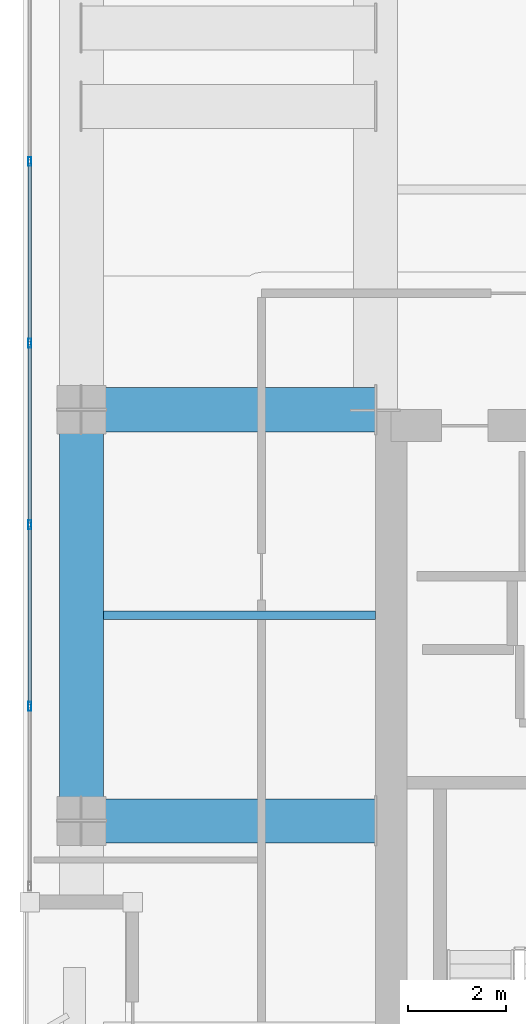
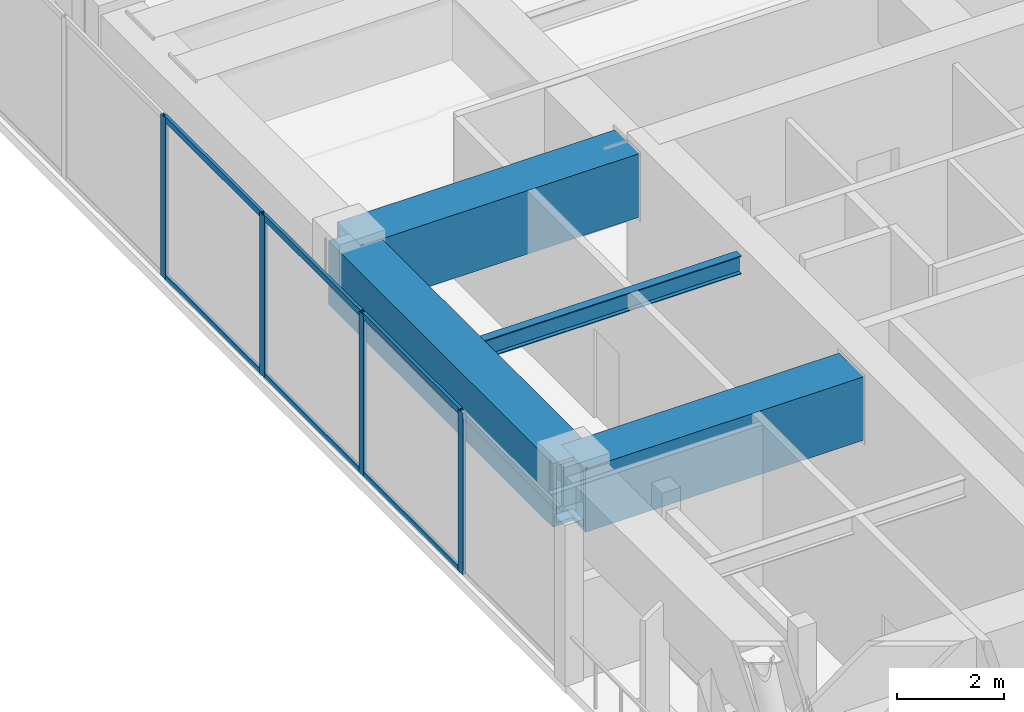
# One storey, part 4 of 21: 10 members, 4 beams, 1 element without a shape of its own.
"""IFC4 building model written with IfcOpenShell, lengths in metres."""

from ifc_helpers import new_model, si_unit, direction, frame, origin, origin_2d, place, context, subcontext, project, spatial, hollow_rectangle, i_section, extrude, material, layer, layer_set, material_profile, profile_set, type_object, element, aggregate, save


model = new_model("IFC4")

# Units and contexts
model_context = context("Model", 3, precision=1e-05, world=origin(), true_north=direction((0.0, 1.0)))
body_context = subcontext(model_context, "Body", "Model", "MODEL_VIEW")
ifc_project = project(units=[si_unit("LENGTHUNIT", "METRE"), si_unit("AREAUNIT", "SQUARE_METRE"), si_unit("VOLUMEUNIT", "CUBIC_METRE"), si_unit("PLANEANGLEUNIT", "RADIAN"), si_unit("MASSUNIT", "GRAM", prefix="KILO")], contexts=[model_context])

# Site, building, storey
site_placement = place(None, origin())
site = spatial("IfcSite", under=ifc_project, at=site_placement, CompositionType="ELEMENT")
building_placement = place(site_placement, origin())
building = spatial("IfcBuilding", under=site, at=building_placement, Name="Kiyonajd Concourse Tower", CompositionType="ELEMENT")
storey_placement = place(building_placement, frame((0.0, 0.0, 251.10009765625)))
storey = spatial("IfcBuildingStorey", under=building, at=storey_placement, Name="L63", CompositionType="ELEMENT", Elevation=251.10009765625)

# Beams
ifc_material_1 = material(Name="Steel ASTM A992 Grade 50", Category="steel")
ifc_material_profile_1 = material_profile(ifc_material_1, i_section(OverallWidth=0.180908203125, OverallDepth=0.4169921875, WebThickness=0.010986328125, FlangeThickness=0.018310546875, at=origin_2d()), Name="W410X85")
ifc_profile_set_1 = profile_set([ifc_material_profile_1], Name="Steel ASTM A992 Grade 50")
beam_type_1 = type_object("IfcBeamType", Name="BM-JST-410", PredefinedType="JOIST", material=ifc_profile_set_1)
beam_1_placement = place(storey_placement, frame((26.85009765625, 40.199951171875, 3.471435546875), z_axis=(1.0, 0.0, 0.0), x_axis=(0.0, 1.0, 0.0)))
element("IfcBeam", 1, at=beam_1_placement, inside=storey, type_object=beam_type_1, Name="L63 West Secondary Floor Joist", PredefinedType="JOIST", context=body_context, shape_type="SweptSolid", body=[
    extrude(i_section(OverallWidth=0.180908203125, OverallDepth=0.4169921875, WebThickness=0.010986328125, FlangeThickness=0.018310546875, at=origin_2d()), origin(), (0.0, 0.0, 1.0), 5.5498046875),
])
ifc_material_2 = material(Name="Steel ASTM A572 Grade 50", Category="steel")
ifc_material_profile_2 = material_profile(ifc_material_2, hollow_rectangle(XDim=0.89990234375, YDim=1.449951171875, WallThickness=0.074951171875, at=origin_2d()), Name="BOX-1450x900x75")
ifc_profile_set_2 = profile_set([ifc_material_profile_2], Name="Steel ASTM A572 Grade 50")
beam_type_2 = type_object("IfcBeamType", Name="BM-XFER-1800", PredefinedType="BEAM", material=ifc_profile_set_2)
beam_2_placement = place(storey_placement, frame((26.39990234375, 44.39990234375, 2.954833984375), z_axis=(0.0, -1.0, 0.0), x_axis=(1.0, 0.0, 0.0)))
element("IfcBeam", 2, at=beam_2_placement, inside=storey, type_object=beam_type_2, Name="L63 Perimeter Bundled Tube Spandrel", PredefinedType="BEAM", context=body_context, shape_type="SweptSolid", body=[
    extrude(hollow_rectangle(XDim=0.89990234375, YDim=1.449951171875, WallThickness=0.074951171875, at=origin_2d()), origin(), (0.0, 0.0, 1.0), 8.39990234375),
])
for number, where, z_axis, x_axis, name in (
    (3, (26.39990234375, 36.0, 2.954833984375), (1.0, 0.0, 0.0), (0.0, 1.0, 0.0), "L63 West Lease Girder"),
    (4, (26.39990234375, 44.39990234375, 2.954833984375), (1.0, 0.0, 0.0), (0.0, 1.0, 0.0), "L63 West Lease Girder"),
):
    element("IfcBeam", number, at=place(storey_placement, frame(where, z_axis=z_axis, x_axis=x_axis)), inside=storey, type_object=beam_type_2, Name=name, PredefinedType="BEAM", context=body_context, shape_type="SweptSolid", body=[
        extrude(hollow_rectangle(XDim=0.89990234375, YDim=1.449951171875, WallThickness=0.074951171875, at=origin_2d()), origin(), (0.0, 0.0, 1.0), 6.0),
    ])

# Curtain wall, members
ifc_material_3 = material(Name="Thermally Broken Anodised Aluminium", Category="aluminium")
ifc_layer = layer(ifc_material_3, 0.179931640625)
ifc_layer_set = layer_set([ifc_layer], Name="Thermally Broken Anodised Aluminium")
curtain_wall_type = type_object("IfcCurtainWallType", Name="CW-SYS-04", PredefinedType="NOTDEFINED", material=ifc_layer_set)
curtain_wall_placement = place(storey_placement, origin())
curtain_wall = element("IfcCurtainWall", 5, at=curtain_wall_placement, inside=storey, type_object=curtain_wall_type, Name="L63 Unitised Curtain Wall CW4", PredefinedType="NOTDEFINED")
ifc_material_profile_3 = material_profile(ifc_material_3, hollow_rectangle(XDim=0.06494140625, YDim=0.179931640625, WallThickness=0.00390625, at=origin_2d()), Name="MULL-65x180")
ifc_profile_set_3 = profile_set([ifc_material_profile_3], Name="Thermally Broken Anodised Aluminium")
member_type_1 = type_object("IfcMemberType", Name="MB-CW-MULL1", PredefinedType="MULLION", material=ifc_profile_set_3)
member_1_placement = place(storey_placement, frame((25.340087890625, 38.34033203125, 0.0), z_axis=(0.0, 0.0, 1.0), x_axis=(-1.0, 0.0, 0.0)))
member_1 = element("IfcMember", 6, at=member_1_placement, type_object=member_type_1, Name="CW4 mullion 2", PredefinedType="MULLION", context=body_context, shape_type="SweptSolid", body=[
    extrude(hollow_rectangle(XDim=0.06494140625, YDim=0.179931640625, WallThickness=0.00390625, at=origin_2d()), origin(), (0.0, 0.0, 1.0), 3.679931640625),
])
member_2_placement = place(storey_placement, frame((25.340087890625, 42.050537109375, 0.0), z_axis=(0.0, 0.0, 1.0), x_axis=(-1.0, 0.0, 0.0)))
member_2 = element("IfcMember", 7, at=member_2_placement, type_object=member_type_1, Name="CW4 mullion 3", PredefinedType="MULLION", context=body_context, shape_type="SweptSolid", body=[
    extrude(hollow_rectangle(XDim=0.06494140625, YDim=0.179931640625, WallThickness=0.00390625, at=origin_2d()), origin(), (0.0, 0.0, 1.0), 3.679931640625),
])
member_3_placement = place(storey_placement, frame((25.340087890625, 45.7607421875, 0.0), z_axis=(0.0, 0.0, 1.0), x_axis=(-1.0, 0.0, 0.0)))
member_3 = element("IfcMember", 8, at=member_3_placement, type_object=member_type_1, Name="CW4 mullion 4", PredefinedType="MULLION", context=body_context, shape_type="SweptSolid", body=[
    extrude(hollow_rectangle(XDim=0.06494140625, YDim=0.179931640625, WallThickness=0.00390625, at=origin_2d()), origin(), (0.0, 0.0, 1.0), 3.679931640625),
])
member_4_placement = place(storey_placement, frame((25.340087890625, 49.470947265625, 0.0), z_axis=(0.0, 0.0, 1.0), x_axis=(-1.0, 0.0, 0.0)))
member_4 = element("IfcMember", 9, at=member_4_placement, type_object=member_type_1, Name="CW4 mullion 5", PredefinedType="MULLION", context=body_context, shape_type="SweptSolid", body=[
    extrude(hollow_rectangle(XDim=0.06494140625, YDim=0.179931640625, WallThickness=0.00390625, at=origin_2d()), origin(), (0.0, 0.0, 1.0), 3.679931640625),
])
ifc_material_profile_4 = material_profile(ifc_material_3, hollow_rectangle(XDim=0.06494140625, YDim=0.139892578125, WallThickness=0.00390625, at=origin_2d()), Name="TRAN-65x140")
ifc_profile_set_4 = profile_set([ifc_material_profile_4], Name="Thermally Broken Anodised Aluminium")
member_type_2 = type_object("IfcMemberType", Name="MB-CW-TRAN1", PredefinedType="USERDEFINED", material=ifc_profile_set_4)
member_5_placement = place(storey_placement, frame((25.340087890625, 38.372802734375, 0.032470703125), z_axis=(0.0, 1.0, 0.0), x_axis=(-1.0, 0.0, 0.0)))
member_5 = element("IfcMember", 10, at=member_5_placement, type_object=member_type_2, Name="CW4 transom 2.1", ObjectType="TRANSOM", PredefinedType="USERDEFINED", context=body_context, shape_type="SweptSolid", body=[
    extrude(hollow_rectangle(XDim=0.06494140625, YDim=0.139892578125, WallThickness=0.00390625, at=origin_2d()), origin(), (0.0, 0.0, 1.0), 3.645263671875),
])
member_6_placement = place(storey_placement, frame((25.340087890625, 38.372802734375, 3.6474609375), z_axis=(0.0, 1.0, 0.0), x_axis=(-1.0, 0.0, 0.0)))
member_6 = element("IfcMember", 11, at=member_6_placement, type_object=member_type_2, Name="CW4 transom 2.2", ObjectType="TRANSOM", PredefinedType="USERDEFINED", context=body_context, shape_type="SweptSolid", body=[
    extrude(hollow_rectangle(XDim=0.06494140625, YDim=0.139892578125, WallThickness=0.00390625, at=origin_2d()), origin(), (0.0, 0.0, 1.0), 3.645263671875),
])
member_7_placement = place(storey_placement, frame((25.340087890625, 42.0830078125, 0.032470703125), z_axis=(0.0, 1.0, 0.0), x_axis=(-1.0, 0.0, 0.0)))
member_7 = element("IfcMember", 12, at=member_7_placement, type_object=member_type_2, Name="CW4 transom 3.1", ObjectType="TRANSOM", PredefinedType="USERDEFINED", context=body_context, shape_type="SweptSolid", body=[
    extrude(hollow_rectangle(XDim=0.06494140625, YDim=0.139892578125, WallThickness=0.00390625, at=origin_2d()), origin(), (0.0, 0.0, 1.0), 3.645263671875),
])
member_8_placement = place(storey_placement, frame((25.340087890625, 42.0830078125, 3.6474609375), z_axis=(0.0, 1.0, 0.0), x_axis=(-1.0, 0.0, 0.0)))
member_8 = element("IfcMember", 13, at=member_8_placement, type_object=member_type_2, Name="CW4 transom 3.2", ObjectType="TRANSOM", PredefinedType="USERDEFINED", context=body_context, shape_type="SweptSolid", body=[
    extrude(hollow_rectangle(XDim=0.06494140625, YDim=0.139892578125, WallThickness=0.00390625, at=origin_2d()), origin(), (0.0, 0.0, 1.0), 3.645263671875),
])
member_9_placement = place(storey_placement, frame((25.340087890625, 45.793212890625, 0.032470703125), z_axis=(0.0, 1.0, 0.0), x_axis=(-1.0, 0.0, 0.0)))
member_9 = element("IfcMember", 14, at=member_9_placement, type_object=member_type_2, Name="CW4 transom 4.1", ObjectType="TRANSOM", PredefinedType="USERDEFINED", context=body_context, shape_type="SweptSolid", body=[
    extrude(hollow_rectangle(XDim=0.06494140625, YDim=0.139892578125, WallThickness=0.00390625, at=origin_2d()), origin(), (0.0, 0.0, 1.0), 3.645263671875),
])
member_10_placement = place(storey_placement, frame((25.340087890625, 45.793212890625, 3.6474609375), z_axis=(0.0, 1.0, 0.0), x_axis=(-1.0, 0.0, 0.0)))
member_10 = element("IfcMember", 15, at=member_10_placement, type_object=member_type_2, Name="CW4 transom 4.2", ObjectType="TRANSOM", PredefinedType="USERDEFINED", context=body_context, shape_type="SweptSolid", body=[
    extrude(hollow_rectangle(XDim=0.06494140625, YDim=0.139892578125, WallThickness=0.00390625, at=origin_2d()), origin(), (0.0, 0.0, 1.0), 3.645263671875),
])
aggregate(curtain_wall, [member_1, member_2, member_3, member_4, member_5, member_6, member_7, member_8, member_9, member_10])

save(model, "model.ifc")
